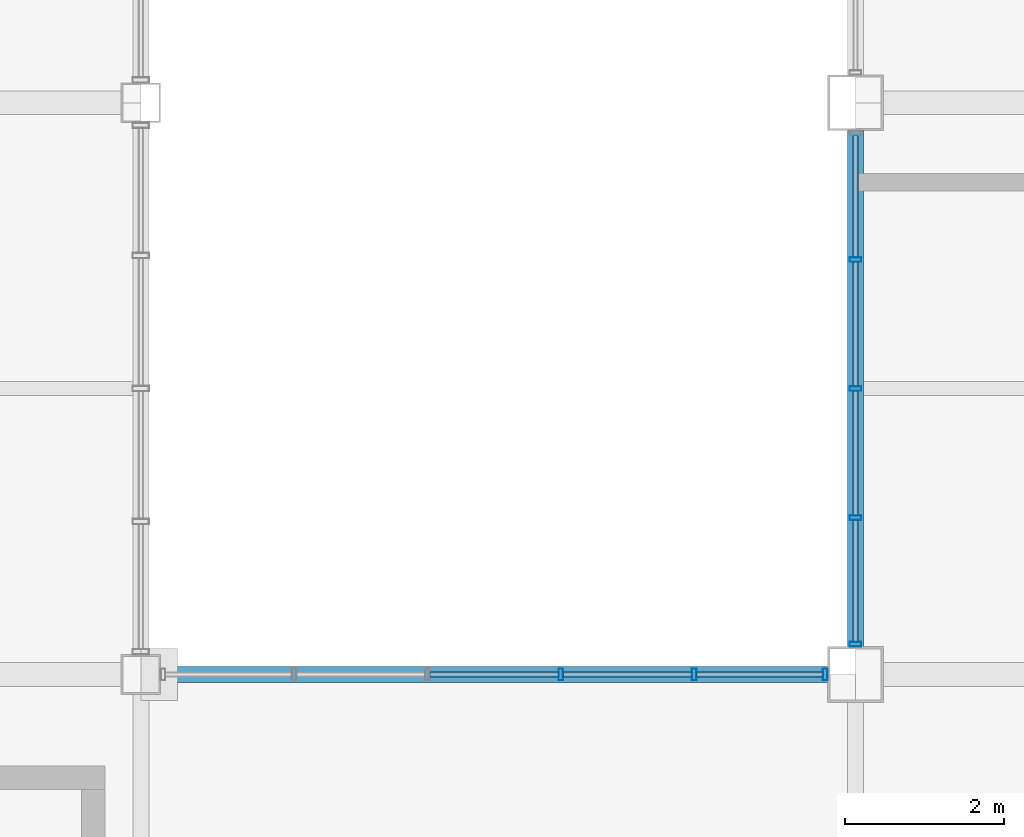
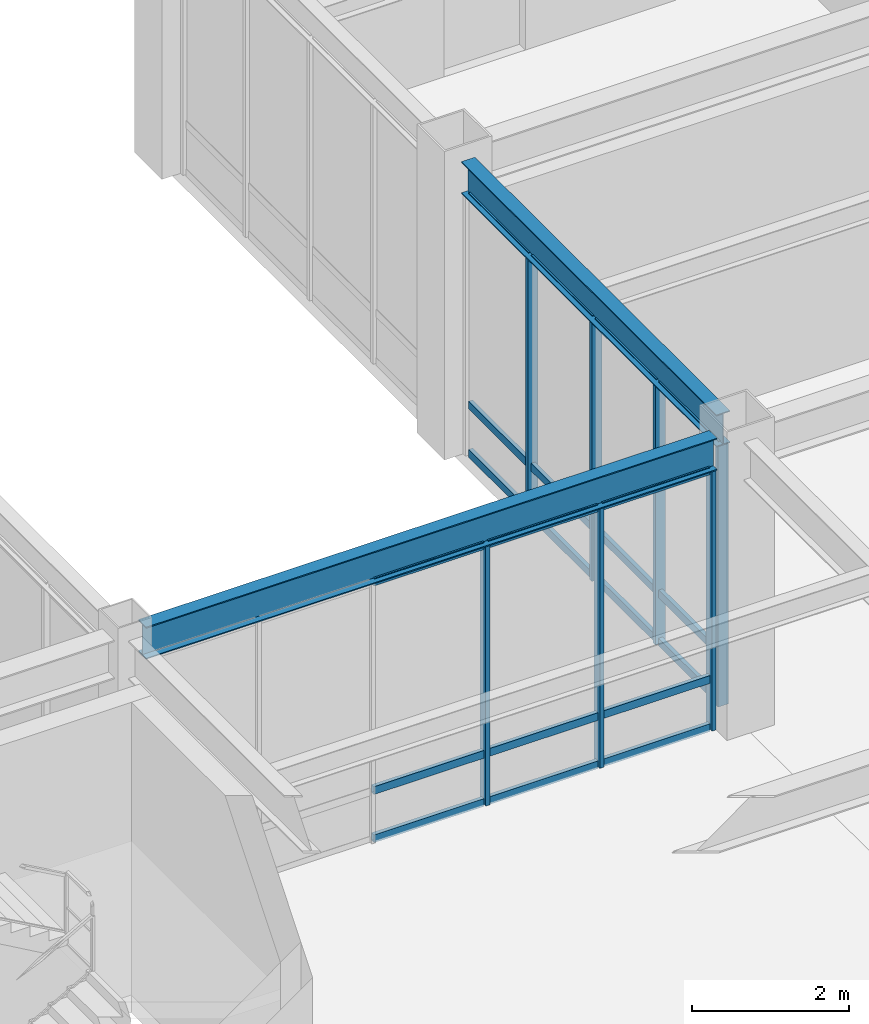
# One storey, part 68 of 112: 28 members, 2 beams, 2 elements without a shape of their own.
"""IFC4 building model written with IfcOpenShell, lengths in metres."""

from ifc_helpers import new_model, si_unit, direction, frame, origin, origin_2d, place, context, subcontext, project, spatial, hollow_rectangle, i_section, extrude, material, material_profile, profile_set, type_object, element, aggregate, save


model = new_model("IFC4")

# Units and contexts
model_context = context("Model", 3, precision=1e-05, world=origin(), true_north=direction((0.0, 1.0)))
body_context = subcontext(model_context, "Body", "Model", "MODEL_VIEW")
ifc_project = project(units=[si_unit("LENGTHUNIT", "METRE"), si_unit("AREAUNIT", "SQUARE_METRE"), si_unit("VOLUMEUNIT", "CUBIC_METRE"), si_unit("PLANEANGLEUNIT", "RADIAN"), si_unit("MASSUNIT", "GRAM", prefix="KILO")], contexts=[model_context])

# Site, building, storey
site_placement = place(None, origin())
site = spatial("IfcSite", under=ifc_project, at=site_placement, CompositionType="ELEMENT")
building_placement = place(site_placement, origin())
building = spatial("IfcBuilding", under=site, at=building_placement, Name="Kazanami Central Library", CompositionType="ELEMENT")
storey_placement = place(building_placement, origin())
storey = spatial("IfcBuildingStorey", under=building, at=storey_placement, Name="L01", CompositionType="ELEMENT", Elevation=0.0)

# Beams
ifc_material_1 = material(Name="Steel SN490B (325 MPa)", Category="steel")
ifc_material_profile_1 = material_profile(ifc_material_1, i_section(OverallWidth=0.199951171875, OverallDepth=0.5, WebThickness=0.010009765625, FlangeThickness=0.01611328125, at=origin_2d()), Name="H-500x200x10x16")
ifc_profile_set_1 = profile_set([ifc_material_profile_1], Name="Steel SN490B (325 MPa)")
beam_type = type_object("IfcBeamType", Name="BM-SP-1", PredefinedType="SPANDREL", material=ifc_profile_set_1)
beam_1_placement = place(storey_placement, frame((108.248046875, 79.199951171875, 4.304931640625), z_axis=(1.0, 0.0, 0.0), x_axis=(0.0, 1.0, 0.0)))
element("IfcBeam", 1, at=beam_1_placement, inside=storey, type_object=beam_type, Name="Covered Link Bridge Girder SP-1 L01 M/13-14", PredefinedType="SPANDREL", context=body_context, shape_type="SweptSolid", body=[
    extrude(i_section(OverallWidth=0.199951171875, OverallDepth=0.5, WebThickness=0.010009765625, FlangeThickness=0.01611328125, at=origin_2d()), origin(), (0.0, 0.0, 1.0), 8.404052734375),
])
beam_2_placement = place(storey_placement, frame((117.0, 79.548095703125, 4.304931640625), z_axis=(0.0, 1.0, 0.0), x_axis=(-1.0, 0.0, 0.0)))
element("IfcBeam", 2, at=beam_2_placement, inside=storey, type_object=beam_type, Name="Girder SP-1 L01 14/M-N", PredefinedType="SPANDREL", context=body_context, shape_type="SweptSolid", body=[
    extrude(i_section(OverallWidth=0.199951171875, OverallDepth=0.5, WebThickness=0.010009765625, FlangeThickness=0.01611328125, at=origin_2d()), origin(), (0.0, 0.0, 1.0), 6.50390625),
])

# Curtain wall, members
ifc_material_2 = material(Name="Acid-Etched Low-E Laminated Glass", Category="glass")
curtain_wall_type_1 = type_object("IfcCurtainWallType", Name="CW-8400x4055-M180", PredefinedType="USERDEFINED", material=ifc_material_2)
curtain_wall_1_placement = place(storey_placement, origin())
curtain_wall_1 = element("IfcCurtainWall", 3, at=curtain_wall_1_placement, inside=storey, type_object=curtain_wall_type_1, Name="Covered Link Bridge Curtain Wall CW-06 L01 N-M-12", ObjectType="UNITISED CURTAIN WALL", PredefinedType="USERDEFINED")
ifc_material_3 = material(Name="Anodised Aluminium A6063-T5", Category="aluminium")
ifc_material_profile_2 = material_profile(ifc_material_3, hollow_rectangle(XDim=0.06005859375, YDim=0.14990234375, WallThickness=0.00390625, at=origin_2d()), Name="ALU-MULL-60x150x4")
ifc_profile_set_2 = profile_set([ifc_material_profile_2], Name="Anodised Aluminium A6063-T5")
member_type_1 = type_object("IfcMemberType", Name="MEM-CW-M3", PredefinedType="MULLION", material=ifc_profile_set_2)
member_1_placement = place(storey_placement, frame((116.6201171875, 79.199951171875, 0.0), z_axis=(0.0, 0.0, 1.0), x_axis=(-1.0, 0.0, 0.0)))
member_1 = element("IfcMember", 4, at=member_1_placement, type_object=member_type_1, Name="CW-06 mullion 1", PredefinedType="MULLION", context=body_context, shape_type="SweptSolid", body=[
    extrude(hollow_rectangle(XDim=0.06005859375, YDim=0.14990234375, WallThickness=0.00390625, at=origin_2d()), origin(), (0.0, 0.0, 1.0), 4.054931640625),
])
member_2_placement = place(storey_placement, frame((114.969970703125, 79.199951171875, 0.0), z_axis=(0.0, 0.0, 1.0), x_axis=(-1.0, 0.0, 0.0)))
member_2 = element("IfcMember", 5, at=member_2_placement, type_object=member_type_1, Name="CW-06 mullion 2", PredefinedType="MULLION", context=body_context, shape_type="SweptSolid", body=[
    extrude(hollow_rectangle(XDim=0.06005859375, YDim=0.14990234375, WallThickness=0.00390625, at=origin_2d()), origin(), (0.0, 0.0, 1.0), 4.054931640625),
])
member_3_placement = place(storey_placement, frame((113.2900390625, 79.199951171875, 0.0), z_axis=(0.0, 0.0, 1.0), x_axis=(-1.0, 0.0, 0.0)))
member_3 = element("IfcMember", 6, at=member_3_placement, type_object=member_type_1, Name="CW-06 mullion 3", PredefinedType="MULLION", context=body_context, shape_type="SweptSolid", body=[
    extrude(hollow_rectangle(XDim=0.06005859375, YDim=0.14990234375, WallThickness=0.00390625, at=origin_2d()), origin(), (0.0, 0.0, 1.0), 4.054931640625),
])

curtain_wall_type_2 = type_object("IfcCurtainWallType", Name="CW-6500x4055-M180", PredefinedType="USERDEFINED", material=ifc_material_2)
curtain_wall_2_placement = place(storey_placement, origin())
curtain_wall_2 = element("IfcCurtainWall", 7, at=curtain_wall_2_placement, inside=storey, type_object=curtain_wall_type_2, Name="Covered Link Bridge Curtain Wall CW-11 L01 W-14-11", ObjectType="UNITISED CURTAIN WALL", PredefinedType="USERDEFINED")
member_4_placement = place(storey_placement, frame((117.0, 79.580078125, 0.0), z_axis=(0.0, 0.0, 1.0), x_axis=(0.0, 1.0, 0.0)))
member_4 = element("IfcMember", 8, at=member_4_placement, type_object=member_type_1, Name="CW-11 mullion 1", PredefinedType="MULLION", context=body_context, shape_type="SweptSolid", body=[
    extrude(hollow_rectangle(XDim=0.06005859375, YDim=0.14990234375, WallThickness=0.00390625, at=origin_2d()), origin(), (0.0, 0.0, 1.0), 4.054931640625),
])
member_5_placement = place(storey_placement, frame((117.0, 81.175048828125, 0.0), z_axis=(0.0, 0.0, 1.0), x_axis=(0.0, 1.0, 0.0)))
member_5 = element("IfcMember", 9, at=member_5_placement, type_object=member_type_1, Name="CW-11 mullion 2", PredefinedType="MULLION", context=body_context, shape_type="SweptSolid", body=[
    extrude(hollow_rectangle(XDim=0.06005859375, YDim=0.14990234375, WallThickness=0.00390625, at=origin_2d()), origin(), (0.0, 0.0, 1.0), 4.054931640625),
])
member_6_placement = place(storey_placement, frame((117.0, 82.800048828125, 0.0), z_axis=(0.0, 0.0, 1.0), x_axis=(0.0, 1.0, 0.0)))
member_6 = element("IfcMember", 10, at=member_6_placement, type_object=member_type_1, Name="CW-11 mullion 3", PredefinedType="MULLION", context=body_context, shape_type="SweptSolid", body=[
    extrude(hollow_rectangle(XDim=0.06005859375, YDim=0.14990234375, WallThickness=0.00390625, at=origin_2d()), origin(), (0.0, 0.0, 1.0), 4.054931640625),
])
member_7_placement = place(storey_placement, frame((117.0, 84.425048828125, 0.0), z_axis=(0.0, 0.0, 1.0), x_axis=(0.0, 1.0, 0.0)))
member_7 = element("IfcMember", 11, at=member_7_placement, type_object=member_type_1, Name="CW-11 mullion 4", PredefinedType="MULLION", context=body_context, shape_type="SweptSolid", body=[
    extrude(hollow_rectangle(XDim=0.06005859375, YDim=0.14990234375, WallThickness=0.00390625, at=origin_2d()), origin(), (0.0, 0.0, 1.0), 4.054931640625),
])

# Member
ifc_material_profile_3 = material_profile(ifc_material_3, hollow_rectangle(XDim=0.06005859375, YDim=0.1201171875, WallThickness=0.00341796875, at=origin_2d()), Name="ALU-TRAN-60x120x3.5")
ifc_profile_set_3 = profile_set([ifc_material_profile_3], Name="Anodised Aluminium A6063-T5")
member_type_2 = type_object("IfcMemberType", Name="MEM-CW-T3", PredefinedType="USERDEFINED", material=ifc_profile_set_3)
member_8_placement = place(storey_placement, frame((116.590087890625, 79.199951171875, 0.030029296875), z_axis=(-1.0, 0.0, 0.0), x_axis=(0.0, -1.0, 0.0)))
member_8 = element("IfcMember", 12, at=member_8_placement, type_object=member_type_2, Name="CW-06 transom 1.1", ObjectType="TRANSOM", PredefinedType="USERDEFINED", context=body_context, shape_type="SweptSolid", body=[
    extrude(hollow_rectangle(XDim=0.06005859375, YDim=0.1201171875, WallThickness=0.00341796875, at=origin_2d()), origin(), (0.0, 0.0, 1.0), 1.590087890625),
])

member_9_placement = place(storey_placement, frame((116.590087890625, 79.199951171875, 0.780029296875), z_axis=(-1.0, 0.0, 0.0), x_axis=(0.0, -1.0, 0.0)))
member_9 = element("IfcMember", 13, at=member_9_placement, type_object=member_type_2, Name="CW-06 transom 1.2", ObjectType="TRANSOM", PredefinedType="USERDEFINED", context=body_context, shape_type="SweptSolid", body=[
    extrude(hollow_rectangle(XDim=0.06005859375, YDim=0.1201171875, WallThickness=0.00341796875, at=origin_2d()), origin(), (0.0, 0.0, 1.0), 1.590087890625),
])

member_10_placement = place(storey_placement, frame((116.590087890625, 79.199951171875, 4.02490234375), z_axis=(-1.0, 0.0, 0.0), x_axis=(0.0, -1.0, 0.0)))
member_10 = element("IfcMember", 14, at=member_10_placement, type_object=member_type_2, Name="CW-06 transom 1.3", ObjectType="TRANSOM", PredefinedType="USERDEFINED", context=body_context, shape_type="SweptSolid", body=[
    extrude(hollow_rectangle(XDim=0.06005859375, YDim=0.1201171875, WallThickness=0.00341796875, at=origin_2d()), origin(), (0.0, 0.0, 1.0), 1.590087890625),
])

member_11_placement = place(storey_placement, frame((114.93994140625, 79.199951171875, 0.030029296875), z_axis=(-1.0, 0.0, 0.0), x_axis=(0.0, -1.0, 0.0)))
member_11 = element("IfcMember", 15, at=member_11_placement, type_object=member_type_2, Name="CW-06 transom 2.1", ObjectType="TRANSOM", PredefinedType="USERDEFINED", context=body_context, shape_type="SweptSolid", body=[
    extrude(hollow_rectangle(XDim=0.06005859375, YDim=0.1201171875, WallThickness=0.00341796875, at=origin_2d()), origin(), (0.0, 0.0, 1.0), 1.619873046875),
])

member_12_placement = place(storey_placement, frame((114.93994140625, 79.199951171875, 0.780029296875), z_axis=(-1.0, 0.0, 0.0), x_axis=(0.0, -1.0, 0.0)))
member_12 = element("IfcMember", 16, at=member_12_placement, type_object=member_type_2, Name="CW-06 transom 2.2", ObjectType="TRANSOM", PredefinedType="USERDEFINED", context=body_context, shape_type="SweptSolid", body=[
    extrude(hollow_rectangle(XDim=0.06005859375, YDim=0.1201171875, WallThickness=0.00341796875, at=origin_2d()), origin(), (0.0, 0.0, 1.0), 1.619873046875),
])

member_13_placement = place(storey_placement, frame((114.93994140625, 79.199951171875, 4.02490234375), z_axis=(-1.0, 0.0, 0.0), x_axis=(0.0, -1.0, 0.0)))
member_13 = element("IfcMember", 17, at=member_13_placement, type_object=member_type_2, Name="CW-06 transom 2.3", ObjectType="TRANSOM", PredefinedType="USERDEFINED", context=body_context, shape_type="SweptSolid", body=[
    extrude(hollow_rectangle(XDim=0.06005859375, YDim=0.1201171875, WallThickness=0.00341796875, at=origin_2d()), origin(), (0.0, 0.0, 1.0), 1.619873046875),
])

member_14_placement = place(storey_placement, frame((113.260009765625, 79.199951171875, 0.030029296875), z_axis=(-1.0, 0.0, 0.0), x_axis=(0.0, -1.0, 0.0)))
member_14 = element("IfcMember", 18, at=member_14_placement, type_object=member_type_2, Name="CW-06 transom 3.1", ObjectType="TRANSOM", PredefinedType="USERDEFINED", context=body_context, shape_type="SweptSolid", body=[
    extrude(hollow_rectangle(XDim=0.06005859375, YDim=0.1201171875, WallThickness=0.00341796875, at=origin_2d()), origin(), (0.0, 0.0, 1.0), 1.6201171875),
])

member_15_placement = place(storey_placement, frame((113.260009765625, 79.199951171875, 0.780029296875), z_axis=(-1.0, 0.0, 0.0), x_axis=(0.0, -1.0, 0.0)))
member_15 = element("IfcMember", 19, at=member_15_placement, type_object=member_type_2, Name="CW-06 transom 3.2", ObjectType="TRANSOM", PredefinedType="USERDEFINED", context=body_context, shape_type="SweptSolid", body=[
    extrude(hollow_rectangle(XDim=0.06005859375, YDim=0.1201171875, WallThickness=0.00341796875, at=origin_2d()), origin(), (0.0, 0.0, 1.0), 1.6201171875),
])

member_16_placement = place(storey_placement, frame((113.260009765625, 79.199951171875, 4.02490234375), z_axis=(-1.0, 0.0, 0.0), x_axis=(0.0, -1.0, 0.0)))
member_16 = element("IfcMember", 20, at=member_16_placement, type_object=member_type_2, Name="CW-06 transom 3.3", ObjectType="TRANSOM", PredefinedType="USERDEFINED", context=body_context, shape_type="SweptSolid", body=[
    extrude(hollow_rectangle(XDim=0.06005859375, YDim=0.1201171875, WallThickness=0.00341796875, at=origin_2d()), origin(), (0.0, 0.0, 1.0), 1.6201171875),
])

aggregate(curtain_wall_1, [member_1, member_2, member_3, member_8, member_9, member_10, member_11, member_12, member_13, member_14, member_15, member_16])

member_17_placement = place(storey_placement, frame((117.0, 79.610107421875, 0.030029296875), z_axis=(0.0, 1.0, 0.0), x_axis=(-1.0, 0.0, 0.0)))
member_17 = element("IfcMember", 21, at=member_17_placement, type_object=member_type_2, Name="CW-11 transom 1.1", ObjectType="TRANSOM", PredefinedType="USERDEFINED", context=body_context, shape_type="SweptSolid", body=[
    extrude(hollow_rectangle(XDim=0.06005859375, YDim=0.1201171875, WallThickness=0.00341796875, at=origin_2d()), origin(), (0.0, 0.0, 1.0), 1.534912109375),
])

member_18_placement = place(storey_placement, frame((117.0, 79.610107421875, 0.780029296875), z_axis=(0.0, 1.0, 0.0), x_axis=(-1.0, 0.0, 0.0)))
member_18 = element("IfcMember", 22, at=member_18_placement, type_object=member_type_2, Name="CW-11 transom 1.2", ObjectType="TRANSOM", PredefinedType="USERDEFINED", context=body_context, shape_type="SweptSolid", body=[
    extrude(hollow_rectangle(XDim=0.06005859375, YDim=0.1201171875, WallThickness=0.00341796875, at=origin_2d()), origin(), (0.0, 0.0, 1.0), 1.534912109375),
])

member_19_placement = place(storey_placement, frame((117.0, 79.610107421875, 4.02490234375), z_axis=(0.0, 1.0, 0.0), x_axis=(-1.0, 0.0, 0.0)))
member_19 = element("IfcMember", 23, at=member_19_placement, type_object=member_type_2, Name="CW-11 transom 1.3", ObjectType="TRANSOM", PredefinedType="USERDEFINED", context=body_context, shape_type="SweptSolid", body=[
    extrude(hollow_rectangle(XDim=0.06005859375, YDim=0.1201171875, WallThickness=0.00341796875, at=origin_2d()), origin(), (0.0, 0.0, 1.0), 1.534912109375),
])

member_20_placement = place(storey_placement, frame((117.0, 81.205078125, 0.030029296875), z_axis=(0.0, 1.0, 0.0), x_axis=(-1.0, 0.0, 0.0)))
member_20 = element("IfcMember", 24, at=member_20_placement, type_object=member_type_2, Name="CW-11 transom 2.1", ObjectType="TRANSOM", PredefinedType="USERDEFINED", context=body_context, shape_type="SweptSolid", body=[
    extrude(hollow_rectangle(XDim=0.06005859375, YDim=0.1201171875, WallThickness=0.00341796875, at=origin_2d()), origin(), (0.0, 0.0, 1.0), 1.56494140625),
])

member_21_placement = place(storey_placement, frame((117.0, 81.205078125, 0.780029296875), z_axis=(0.0, 1.0, 0.0), x_axis=(-1.0, 0.0, 0.0)))
member_21 = element("IfcMember", 25, at=member_21_placement, type_object=member_type_2, Name="CW-11 transom 2.2", ObjectType="TRANSOM", PredefinedType="USERDEFINED", context=body_context, shape_type="SweptSolid", body=[
    extrude(hollow_rectangle(XDim=0.06005859375, YDim=0.1201171875, WallThickness=0.00341796875, at=origin_2d()), origin(), (0.0, 0.0, 1.0), 1.56494140625),
])

member_22_placement = place(storey_placement, frame((117.0, 81.205078125, 4.02490234375), z_axis=(0.0, 1.0, 0.0), x_axis=(-1.0, 0.0, 0.0)))
member_22 = element("IfcMember", 26, at=member_22_placement, type_object=member_type_2, Name="CW-11 transom 2.3", ObjectType="TRANSOM", PredefinedType="USERDEFINED", context=body_context, shape_type="SweptSolid", body=[
    extrude(hollow_rectangle(XDim=0.06005859375, YDim=0.1201171875, WallThickness=0.00341796875, at=origin_2d()), origin(), (0.0, 0.0, 1.0), 1.56494140625),
])

member_23_placement = place(storey_placement, frame((117.0, 82.830078125, 0.030029296875), z_axis=(0.0, 1.0, 0.0), x_axis=(-1.0, 0.0, 0.0)))
member_23 = element("IfcMember", 27, at=member_23_placement, type_object=member_type_2, Name="CW-11 transom 3.1", ObjectType="TRANSOM", PredefinedType="USERDEFINED", context=body_context, shape_type="SweptSolid", body=[
    extrude(hollow_rectangle(XDim=0.06005859375, YDim=0.1201171875, WallThickness=0.00341796875, at=origin_2d()), origin(), (0.0, 0.0, 1.0), 1.56494140625),
])

member_24_placement = place(storey_placement, frame((117.0, 82.830078125, 0.780029296875), z_axis=(0.0, 1.0, 0.0), x_axis=(-1.0, 0.0, 0.0)))
member_24 = element("IfcMember", 28, at=member_24_placement, type_object=member_type_2, Name="CW-11 transom 3.2", ObjectType="TRANSOM", PredefinedType="USERDEFINED", context=body_context, shape_type="SweptSolid", body=[
    extrude(hollow_rectangle(XDim=0.06005859375, YDim=0.1201171875, WallThickness=0.00341796875, at=origin_2d()), origin(), (0.0, 0.0, 1.0), 1.56494140625),
])

member_25_placement = place(storey_placement, frame((117.0, 82.830078125, 4.02490234375), z_axis=(0.0, 1.0, 0.0), x_axis=(-1.0, 0.0, 0.0)))
member_25 = element("IfcMember", 29, at=member_25_placement, type_object=member_type_2, Name="CW-11 transom 3.3", ObjectType="TRANSOM", PredefinedType="USERDEFINED", context=body_context, shape_type="SweptSolid", body=[
    extrude(hollow_rectangle(XDim=0.06005859375, YDim=0.1201171875, WallThickness=0.00341796875, at=origin_2d()), origin(), (0.0, 0.0, 1.0), 1.56494140625),
])

member_26_placement = place(storey_placement, frame((117.0, 84.455078125, 0.030029296875), z_axis=(0.0, 1.0, 0.0), x_axis=(-1.0, 0.0, 0.0)))
member_26 = element("IfcMember", 30, at=member_26_placement, type_object=member_type_2, Name="CW-11 transom 4.1", ObjectType="TRANSOM", PredefinedType="USERDEFINED", context=body_context, shape_type="SweptSolid", body=[
    extrude(hollow_rectangle(XDim=0.06005859375, YDim=0.1201171875, WallThickness=0.00341796875, at=origin_2d()), origin(), (0.0, 0.0, 1.0), 1.534912109375),
])

member_27_placement = place(storey_placement, frame((117.0, 84.455078125, 0.780029296875), z_axis=(0.0, 1.0, 0.0), x_axis=(-1.0, 0.0, 0.0)))
member_27 = element("IfcMember", 31, at=member_27_placement, type_object=member_type_2, Name="CW-11 transom 4.2", ObjectType="TRANSOM", PredefinedType="USERDEFINED", context=body_context, shape_type="SweptSolid", body=[
    extrude(hollow_rectangle(XDim=0.06005859375, YDim=0.1201171875, WallThickness=0.00341796875, at=origin_2d()), origin(), (0.0, 0.0, 1.0), 1.534912109375),
])

member_28_placement = place(storey_placement, frame((117.0, 84.455078125, 4.02490234375), z_axis=(0.0, 1.0, 0.0), x_axis=(-1.0, 0.0, 0.0)))
member_28 = element("IfcMember", 32, at=member_28_placement, type_object=member_type_2, Name="CW-11 transom 4.3", ObjectType="TRANSOM", PredefinedType="USERDEFINED", context=body_context, shape_type="SweptSolid", body=[
    extrude(hollow_rectangle(XDim=0.06005859375, YDim=0.1201171875, WallThickness=0.00341796875, at=origin_2d()), origin(), (0.0, 0.0, 1.0), 1.534912109375),
])

aggregate(curtain_wall_2, [member_4, member_5, member_6, member_7, member_17, member_18, member_19, member_20, member_21, member_22, member_23, member_24, member_25, member_26, member_27, member_28])

save(model, "model.ifc")
